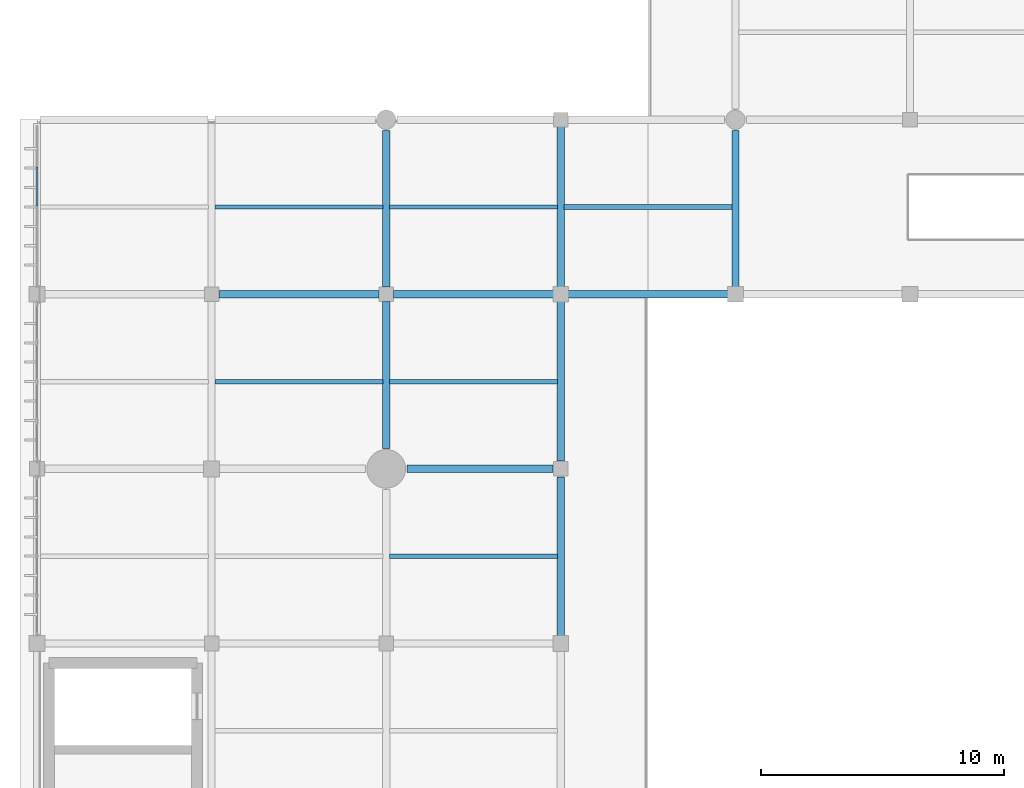
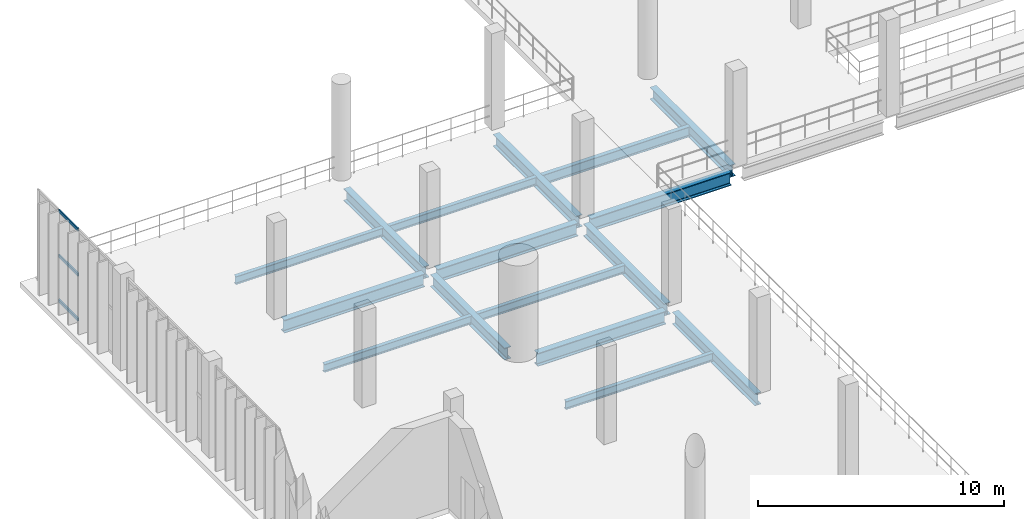
# One storey, part 44 of 105: 16 beams, 3 members, 1 element without a shape of its own.
"""IFC4 building model written with IfcOpenShell, lengths in metres."""

from ifc_helpers import new_model, si_unit, direction, frame, origin, origin_2d, place, context, subcontext, project, spatial, hollow_rectangle, i_section, extrude, material, material_profile, profile_set, type_object, element, aggregate, save


model = new_model("IFC4")

# Units and contexts
model_context = context("Model", 3, precision=1e-05, world=origin(), true_north=direction((0.0, 1.0)))
body_context = subcontext(model_context, "Body", "Model", "MODEL_VIEW")
ifc_project = project(units=[si_unit("LENGTHUNIT", "METRE"), si_unit("AREAUNIT", "SQUARE_METRE"), si_unit("VOLUMEUNIT", "CUBIC_METRE"), si_unit("PLANEANGLEUNIT", "RADIAN"), si_unit("MASSUNIT", "GRAM", prefix="KILO")], contexts=[model_context])

# Site, building, storey
site_placement = place(None, origin())
site = spatial("IfcSite", under=ifc_project, at=site_placement, CompositionType="ELEMENT")
building_placement = place(site_placement, origin())
building = spatial("IfcBuilding", under=site, at=building_placement, Name="Qandorah Velis Arena", CompositionType="ELEMENT")
storey_placement = place(building_placement, frame((0.0, 0.0, 13.800048828125)))
storey = spatial("IfcBuildingStorey", under=building, at=storey_placement, Name="L03", CompositionType="ELEMENT", Elevation=13.800048828125)

# Curtain wall, members
ifc_material_1 = material(Name="Solar-control low-E double glazing", Category="glass")
curtain_wall_type = type_object("IfcCurtainWallType", Name="ARC-CW-SYS06", PredefinedType="USERDEFINED", material=ifc_material_1)
curtain_wall_placement = place(storey_placement, origin())
curtain_wall = element("IfcCurtainWall", 1, at=curtain_wall_placement, inside=storey, type_object=curtain_wall_type, Name="Unitised curtain wall L03-030", ObjectType="UNITISED CURTAIN WALL", PredefinedType="USERDEFINED")
ifc_material_2 = material(Name="Champagne-bronze anodized aluminium 6063-T6", Category="aluminium")
ifc_material_profile_1 = material_profile(ifc_material_2, hollow_rectangle(XDim=0.06494140625, YDim=0.139892578125, WallThickness=0.0029296875, at=origin_2d()), Name="ALU TRANSOM 65x140")
ifc_profile_set_1 = profile_set([ifc_material_profile_1], Name="Champagne-bronze anodized aluminium 6063-T6")
member_type = type_object("IfcMemberType", Name="ARC-CWT-140", PredefinedType="USERDEFINED", material=ifc_profile_set_1)
member_1_placement = place(storey_placement, frame((0.0, 111.6455078125, 0.032470703125), z_axis=(0.0, 1.0, 0.0), x_axis=(-1.0, 0.0, 0.0)))
member_1 = element("IfcMember", 2, at=member_1_placement, type_object=member_type, Name="CW06 transom 3.1", ObjectType="TRANSOM", PredefinedType="USERDEFINED", context=body_context, shape_type="SweptSolid", body=[
    extrude(hollow_rectangle(XDim=0.06494140625, YDim=0.139892578125, WallThickness=0.0029296875, at=origin_2d()), origin(), (0.0, 0.0, 1.0), 1.596435546875),
])
member_2_placement = place(storey_placement, frame((0.0, 111.6455078125, 2.264892578125), z_axis=(0.0, 1.0, 0.0), x_axis=(-1.0, 0.0, 0.0)))
member_2 = element("IfcMember", 3, at=member_2_placement, type_object=member_type, Name="CW06 transom 3.2", ObjectType="TRANSOM", PredefinedType="USERDEFINED", context=body_context, shape_type="SweptSolid", body=[
    extrude(hollow_rectangle(XDim=0.06494140625, YDim=0.139892578125, WallThickness=0.0029296875, at=origin_2d()), origin(), (0.0, 0.0, 1.0), 1.596435546875),
])
member_3_placement = place(storey_placement, frame((0.0, 111.6455078125, 4.49755859375), z_axis=(0.0, 1.0, 0.0), x_axis=(-1.0, 0.0, 0.0)))
member_3 = element("IfcMember", 4, at=member_3_placement, type_object=member_type, Name="CW06 transom 3.3", ObjectType="TRANSOM", PredefinedType="USERDEFINED", context=body_context, shape_type="SweptSolid", body=[
    extrude(hollow_rectangle(XDim=0.06494140625, YDim=0.139892578125, WallThickness=0.0029296875, at=origin_2d()), origin(), (0.0, 0.0, 1.0), 1.596435546875),
])
aggregate(curtain_wall, [member_1, member_2, member_3])

# Beams
ifc_material_3 = material(Name="Steel S355", Category="steel")
ifc_material_profile_2 = material_profile(ifc_material_3, i_section(OverallWidth=0.300048828125, OverallDepth=0.60009765625, WebThickness=0.015380859375, FlangeThickness=0.030029296875, FilletRadius=0.027099609375, at=origin_2d()), Name="HEB 600")
ifc_profile_set_2 = profile_set([ifc_material_profile_2], Name="Steel S355")
beam_type_1 = type_object("IfcBeamType", Name="STR-BM-HEB600", PredefinedType="BEAM", material=ifc_profile_set_2)
beam_1_placement = place(storey_placement, frame((14.39990234375, 101.64990234375, -0.6201171875), z_axis=(0.0, 1.0, 0.0), x_axis=(-1.0, 0.0, 0.0)))
element("IfcBeam", 5, at=beam_1_placement, inside=storey, type_object=beam_type_1, Name="Primary floor girder L03 Y-218", PredefinedType="BEAM", context=body_context, shape_type="SweptSolid", body=[
    extrude(i_section(OverallWidth=0.300048828125, OverallDepth=0.60009765625, WebThickness=0.015380859375, FlangeThickness=0.030029296875, FilletRadius=0.027099609375, at=origin_2d()), origin(), (0.0, 0.0, 1.0), 6.050048828125),
])
beam_2_placement = place(storey_placement, frame((14.39990234375, 108.300048828125, -0.6201171875), z_axis=(0.0, 1.0, 0.0), x_axis=(-1.0, 0.0, 0.0)))
element("IfcBeam", 6, at=beam_2_placement, inside=storey, type_object=beam_type_1, Name="Primary floor girder L03 Y-219", PredefinedType="BEAM", context=body_context, shape_type="SweptSolid", body=[
    extrude(i_section(OverallWidth=0.300048828125, OverallDepth=0.60009765625, WebThickness=0.015380859375, FlangeThickness=0.030029296875, FilletRadius=0.027099609375, at=origin_2d()), origin(), (0.0, 0.0, 1.0), 6.449951171875),
])
beam_3_placement = place(storey_placement, frame((21.60009765625, 93.75, -0.6201171875), z_axis=(0.0, 1.0, 0.0), x_axis=(-1.0, 0.0, 0.0)))
element("IfcBeam", 7, at=beam_3_placement, inside=storey, type_object=beam_type_1, Name="Primary floor girder L03 Y-231", PredefinedType="BEAM", context=body_context, shape_type="SweptSolid", body=[
    extrude(i_section(OverallWidth=0.300048828125, OverallDepth=0.60009765625, WebThickness=0.015380859375, FlangeThickness=0.030029296875, FilletRadius=0.027099609375, at=origin_2d()), origin(), (0.0, 0.0, 1.0), 6.72509765625),
])
beam_4_placement = place(storey_placement, frame((21.60009765625, 101.125, -0.6201171875), z_axis=(0.0, 1.0, 0.0), x_axis=(-1.0, 0.0, 0.0)))
element("IfcBeam", 8, at=beam_4_placement, inside=storey, type_object=beam_type_1, Name="Primary floor girder L03 Y-232", PredefinedType="BEAM", context=body_context, shape_type="SweptSolid", body=[
    extrude(i_section(OverallWidth=0.300048828125, OverallDepth=0.60009765625, WebThickness=0.015380859375, FlangeThickness=0.030029296875, FilletRadius=0.027099609375, at=origin_2d()), origin(), (0.0, 0.0, 1.0), 6.574951171875),
])
beam_5_placement = place(storey_placement, frame((21.60009765625, 108.300048828125, -0.6201171875), z_axis=(0.0, 1.0, 0.0), x_axis=(-1.0, 0.0, 0.0)))
element("IfcBeam", 9, at=beam_5_placement, inside=storey, type_object=beam_type_1, Name="Primary floor girder L03 Y-233", PredefinedType="BEAM", context=body_context, shape_type="SweptSolid", body=[
    extrude(i_section(OverallWidth=0.300048828125, OverallDepth=0.60009765625, WebThickness=0.015380859375, FlangeThickness=0.030029296875, FilletRadius=0.027099609375, at=origin_2d()), origin(), (0.0, 0.0, 1.0), 6.75),
])
beam_6_placement = place(storey_placement, frame((28.800048828125, 108.300048828125, -0.6201171875), z_axis=(0.0, 1.0, 0.0), x_axis=(-1.0, 0.0, 0.0)))
element("IfcBeam", 10, at=beam_6_placement, inside=storey, type_object=beam_type_1, Name="Primary floor girder L03 Y-237", PredefinedType="BEAM", context=body_context, shape_type="SweptSolid", body=[
    extrude(i_section(OverallWidth=0.300048828125, OverallDepth=0.60009765625, WebThickness=0.015380859375, FlangeThickness=0.030029296875, FilletRadius=0.027099609375, at=origin_2d()), origin(), (0.0, 0.0, 1.0), 6.449951171875),
])
ifc_material_profile_3 = material_profile(ifc_material_3, i_section(OverallWidth=0.300048828125, OverallDepth=0.64990234375, WebThickness=0.01611328125, FlangeThickness=0.031005859375, FilletRadius=0.027099609375, at=origin_2d()), Name="HEB 650")
ifc_profile_set_3 = profile_set([ifc_material_profile_3], Name="Steel S355")
beam_type_2 = type_object("IfcBeamType", Name="STR-BM-HEB650", PredefinedType="BEAM", material=ifc_profile_set_3)
beam_7_placement = place(storey_placement, frame((15.25, 100.800048828125, -0.64501953125), z_axis=(1.0, 0.0, 0.0), x_axis=(0.0, 1.0, 0.0)))
element("IfcBeam", 11, at=beam_7_placement, inside=storey, type_object=beam_type_2, Name="Primary floor girder L03 X-118", PredefinedType="BEAM", context=body_context, shape_type="SweptSolid", body=[
    extrude(i_section(OverallWidth=0.300048828125, OverallDepth=0.64990234375, WebThickness=0.01611328125, FlangeThickness=0.031005859375, FilletRadius=0.027099609375, at=origin_2d()), origin(), (0.0, 0.0, 1.0), 6.02490234375),
])
for number, where, z_axis, x_axis, name in (
    (12, (7.5, 108.0, -0.64501953125), (1.0, 0.0, 0.0), (0.0, 1.0, 0.0), "Primary floor girder L03 X-122"),
    (13, (14.699951171875, 108.0, -0.64501953125), (1.0, 0.0, 0.0), (0.0, 1.0, 0.0), "Primary floor girder L03 X-123"),
    (14, (21.89990234375, 108.0, -0.64501953125), (1.0, 0.0, 0.0), (0.0, 1.0, 0.0), "Primary floor girder L03 X-124"),
):
    element("IfcBeam", number, at=place(storey_placement, frame(where, z_axis=z_axis, x_axis=x_axis)), inside=storey, type_object=beam_type_2, Name=name, PredefinedType="BEAM", context=body_context, shape_type="SweptSolid", body=[
        extrude(i_section(OverallWidth=0.300048828125, OverallDepth=0.64990234375, WebThickness=0.01611328125, FlangeThickness=0.031005859375, FilletRadius=0.027099609375, at=origin_2d()), origin(), (0.0, 0.0, 1.0), 6.60009765625),
    ])
ifc_material_profile_4 = material_profile(ifc_material_3, i_section(OverallWidth=0.179931640625, OverallDepth=0.39990234375, WebThickness=0.008544921875, FlangeThickness=0.013427734375, FilletRadius=0.02099609375, at=origin_2d()), Name="IPE 400")
ifc_profile_set_4 = profile_set([ifc_material_profile_4], Name="Steel S355")
beam_type_3 = type_object("IfcBeamType", Name="STR-JST-IPE400", PredefinedType="JOIST", material=ifc_profile_set_4)
for number, where, z_axis, x_axis, name in (
    (15, (7.3349609375, 104.39990234375, -0.52001953125), (1.0, 0.0, 0.0), (0.0, 1.0, 0.0), "Secondary floor joist L03-023"),
    (16, (7.3349609375, 111.60009765625, -0.52001953125), (1.0, 0.0, 0.0), (0.0, 1.0, 0.0), "Secondary floor joist L03-024"),
):
    element("IfcBeam", number, at=place(storey_placement, frame(where, z_axis=z_axis, x_axis=x_axis)), inside=storey, type_object=beam_type_3, Name=name, PredefinedType="JOIST", context=body_context, shape_type="SweptSolid", body=[
        extrude(i_section(OverallWidth=0.179931640625, OverallDepth=0.39990234375, WebThickness=0.008544921875, FlangeThickness=0.013427734375, FilletRadius=0.02099609375, at=origin_2d()), origin(), (0.0, 0.0, 1.0), 6.929931640625),
    ])
for number, where, z_axis, x_axis, name in (
    (17, (14.534912109375, 97.199951171875, -0.52001953125), (1.0, 0.0, 0.0), (0.0, 1.0, 0.0), "Secondary floor joist L03-034"),
    (18, (14.534912109375, 104.39990234375, -0.52001953125), (1.0, 0.0, 0.0), (0.0, 1.0, 0.0), "Secondary floor joist L03-035"),
    (19, (14.534912109375, 111.60009765625, -0.52001953125), (1.0, 0.0, 0.0), (0.0, 1.0, 0.0), "Secondary floor joist L03-036"),
):
    element("IfcBeam", number, at=place(storey_placement, frame(where, z_axis=z_axis, x_axis=x_axis)), inside=storey, type_object=beam_type_3, Name=name, PredefinedType="JOIST", context=body_context, shape_type="SweptSolid", body=[
        extrude(i_section(OverallWidth=0.179931640625, OverallDepth=0.39990234375, WebThickness=0.008544921875, FlangeThickness=0.013427734375, FilletRadius=0.02099609375, at=origin_2d()), origin(), (0.0, 0.0, 1.0), 6.93017578125),
    ])
ifc_material_profile_5 = material_profile(ifc_material_3, i_section(OverallWidth=0.199951171875, OverallDepth=0.5, WebThickness=0.01025390625, FlangeThickness=0.01611328125, FilletRadius=0.02099609375, at=origin_2d()), Name="IPE 500")
ifc_profile_set_5 = profile_set([ifc_material_profile_5], Name="Steel S355")
beam_type_4 = type_object("IfcBeamType", Name="STR-JST-IPE500", PredefinedType="JOIST", material=ifc_profile_set_5)
beam_8_placement = place(storey_placement, frame((21.735107421875, 111.60009765625, -0.570068359375), z_axis=(1.0, 0.0, 0.0), x_axis=(0.0, 1.0, 0.0)))
element("IfcBeam", 20, at=beam_8_placement, inside=storey, type_object=beam_type_4, Name="Secondary floor joist L03-038", PredefinedType="JOIST", context=body_context, shape_type="SweptSolid", body=[
    extrude(i_section(OverallWidth=0.199951171875, OverallDepth=0.5, WebThickness=0.01025390625, FlangeThickness=0.01611328125, FilletRadius=0.02099609375, at=origin_2d()), origin(), (0.0, 0.0, 1.0), 6.929931640625),
])

save(model, "model.ifc")
